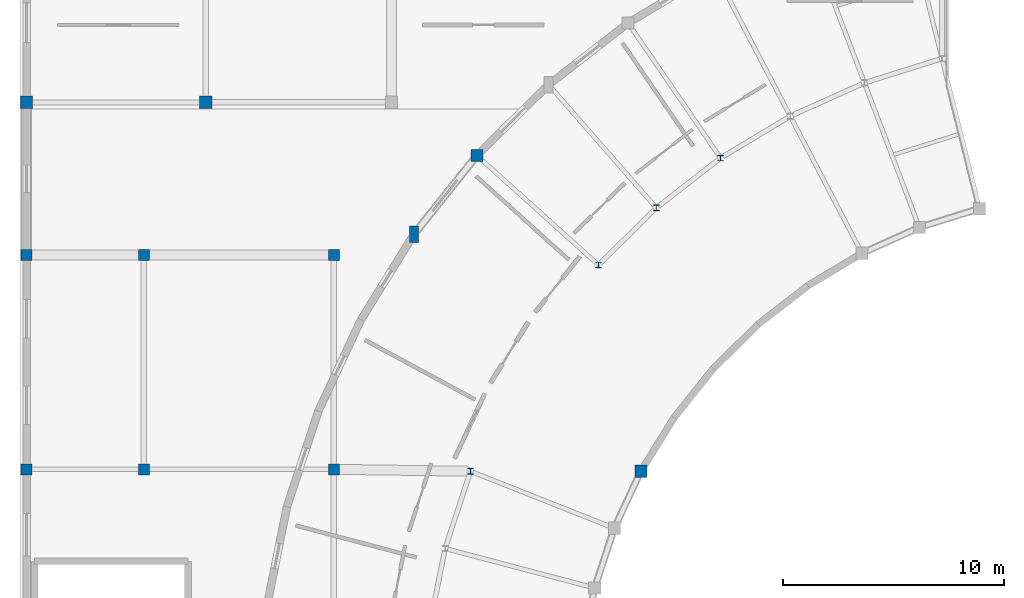
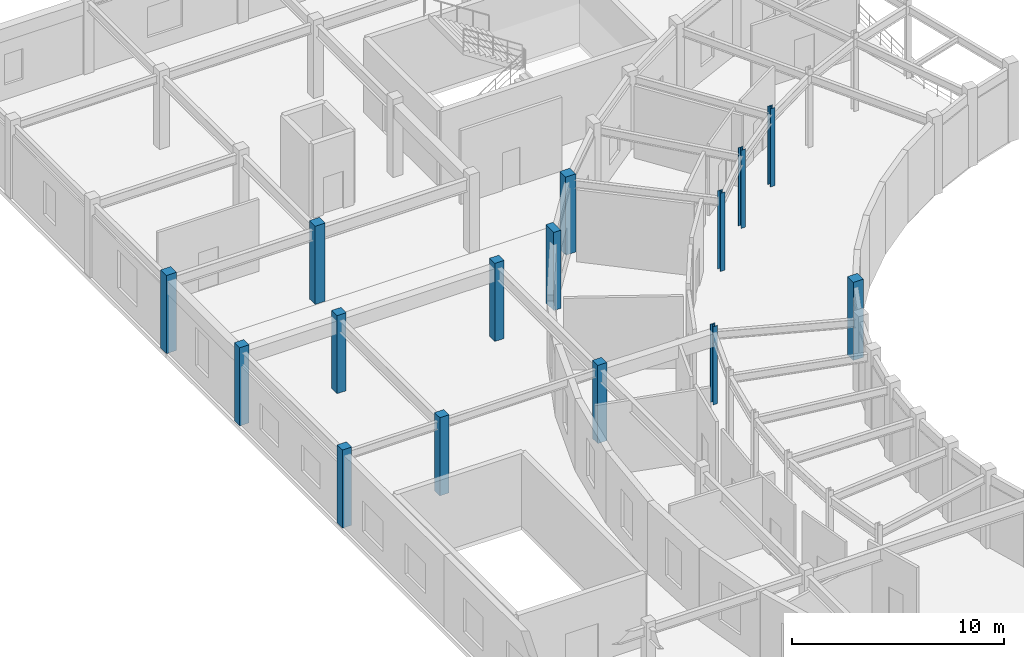
# One storey, part 8 of 60: 15 columns.
"""IFC4 building model written with IfcOpenShell, lengths in metres."""

import ifcopenshell
import ifcopenshell.guid

model = None  # the IFC model being written
_history = None  # IfcOwnerHistory: only IFC2X3 demands one
_inside = {}  # id of a spatial element -> (the spatial element, [elements in it])
_under = {}  # id of a project, library or spatial element -> (it, [spatial elements below it])
_declared = {}  # id of a project -> (the project, [libraries it declares])
_typed = {}  # id of a type object -> (the type object, [elements of that type])
_made_of = {}  # id of a material, layer set ... -> (it, [elements and type objects made of it])


def new_model(schema):
    """Start an empty IFC model of exactly this schema.

    Asked for "IFC4X3", IfcOpenShell would pick the latest addendum, in which some entities
    have other attributes; the version numbers below select the first issue.
    IFC2X3 requires an IfcOwnerHistory on every rooted entity: one is made here for all.
    """
    global model, _history
    if schema == "IFC4X3":
        model = ifcopenshell.file(schema_version=(4, 3, 0, 0))
    else:
        model = ifcopenshell.file(schema=schema)
    _inside.clear()
    _under.clear()
    _declared.clear()
    _typed.clear()
    _made_of.clear()
    _history = None
    if model.schema == "IFC2X3":
        org = make("IfcOrganization", Name="unknown")
        user = make(
            "IfcPersonAndOrganization",
            ThePerson=make("IfcPerson", FamilyName="unknown"),
            TheOrganization=org,
        )
        app = make(
            "IfcApplication",
            ApplicationDeveloper=org,
            Version="unknown",
            ApplicationFullName="unknown",
            ApplicationIdentifier="unknown",
        )
        _history = make(
            "IfcOwnerHistory",
            OwningUser=user,
            OwningApplication=app,
            ChangeAction="ADDED",
            CreationDate=0,
        )
    return model


def make(cls, **values):
    """One entity of the class cls with the attributes given. An attribute that is None is left unset."""
    return model.create_entity(
        cls, **{name: value for name, value in values.items() if value is not None}
    )


def rooted(cls, **values):
    """An entity with a GlobalId (a new one), such as an element, a storey or a relation."""
    return make(cls, GlobalId=ifcopenshell.guid.new(), OwnerHistory=_history, **values)


def si_unit(unit_type, name, prefix=None):
    """IfcSIUnit, for example si_unit("LENGTHUNIT", "METRE", prefix="MILLI")."""
    return make("IfcSIUnit", UnitType=unit_type, Prefix=prefix, Name=name)


def assignment(units):
    """IfcUnitAssignment: the units of a project."""
    return None if units is None else make("IfcUnitAssignment", Units=units)


def point(xyz):
    """IfcCartesianPoint."""
    return None if xyz is None else make("IfcCartesianPoint", Coordinates=xyz)


def direction(xyz):
    """IfcDirection."""
    return None if xyz is None else make("IfcDirection", DirectionRatios=xyz)


def frame(location, z_axis=None, x_axis=None):
    """IfcAxis2Placement3D, a coordinate frame: its origin and axes. An axis left out is left unset."""
    return make(
        "IfcAxis2Placement3D",
        Location=point(location),
        Axis=direction(z_axis),
        RefDirection=direction(x_axis),
    )


def frame_2d(location, x_axis=None):
    """IfcAxis2Placement2D, a coordinate frame in the plane: its origin and x axis."""
    return make(
        "IfcAxis2Placement2D", Location=point(location), RefDirection=direction(x_axis)
    )


def origin():
    """The frame at (0, 0, 0) with its axes left unset."""
    return frame((0.0, 0.0, 0.0))


def origin_2d():
    """The frame at (0, 0) in the plane with its x axis left unset."""
    return frame_2d((0.0, 0.0))


def place(relative_to, where):
    """IfcLocalPlacement: puts the frame where relative to a parent placement (None: the world)."""
    return make(
        "IfcLocalPlacement", PlacementRelTo=relative_to, RelativePlacement=where
    )


def context(
    kind, dimensions, precision=None, world=None, true_north=None, identifier=None
):
    """IfcGeometricRepresentationContext, for example the 3D "Model" context."""
    return make(
        "IfcGeometricRepresentationContext",
        ContextIdentifier=identifier,
        ContextType=kind,
        CoordinateSpaceDimension=dimensions,
        Precision=precision,
        WorldCoordinateSystem=world,
        TrueNorth=true_north,
    )


def subcontext(parent, identifier, kind, view, scale=None):
    """IfcGeometricRepresentationSubContext, for example "Body" below "Model"."""
    return make(
        "IfcGeometricRepresentationSubContext",
        ContextIdentifier=identifier,
        ContextType=kind,
        ParentContext=parent,
        TargetScale=scale,
        TargetView=view,
    )


def project(units=None, contexts=None):
    """IfcProject with its units and contexts."""
    return rooted(
        "IfcProject",
        Name="project",
        RepresentationContexts=contexts,
        UnitsInContext=assignment(units),
    )


def spatial(cls, under=None, at=None, **own):
    """A site, building, storey or space (cls), placed at a placement, below another one or the project."""
    s = rooted(cls, ObjectPlacement=at, **own)
    if under is not None:
        _under.setdefault(under.id(), (under, []))[1].append(s)
    return s


def profile(cls, at=None, kind="AREA", **sizes):
    """A parametric profile (cls). Its sizes go by their IFC names, for example OverallWidth=200.0."""
    return make(cls, ProfileType=kind, Position=at, **sizes)


def rectangle(**sizes):
    """IfcRectangleProfileDef."""
    return profile("IfcRectangleProfileDef", **sizes)


def i_section(**sizes):
    """IfcIShapeProfileDef."""
    return profile("IfcIShapeProfileDef", **sizes)


def extrude(swept, where, along, depth):
    """IfcExtrudedAreaSolid: the profile swept, set in the frame where, extruded along a direction by depth."""
    return make(
        "IfcExtrudedAreaSolid",
        SweptArea=swept,
        Position=where,
        ExtrudedDirection=direction(along),
        Depth=depth,
    )


def shape(context_of_items, identifier, shape_type, items):
    """IfcShapeRepresentation: the items that make up one representation, for example the "Body"."""
    return make(
        "IfcShapeRepresentation",
        ContextOfItems=context_of_items,
        RepresentationIdentifier=identifier,
        RepresentationType=shape_type,
        Items=items,
    )


def material(Name=None, Category=None):
    """IfcMaterial."""
    return make("IfcMaterial", Name=Name, Category=Category)


def material_profile(
    of_material, cross_section, Name=None, Category=None, Priority=None
):
    """IfcMaterialProfile: a cross section and its material."""
    return make(
        "IfcMaterialProfile",
        Name=Name,
        Material=of_material,
        Profile=cross_section,
        Priority=Priority,
        Category=Category,
    )


def profile_set(profiles, Name=None, composite=None):
    """IfcMaterialProfileSet."""
    return make(
        "IfcMaterialProfileSet",
        Name=Name,
        MaterialProfiles=profiles,
        CompositeProfile=composite,
    )


def made_of(thing, what):
    """Note that an element or type object is made of a material, layer set ...; save() writes the relation."""
    if what is not None:
        _made_of.setdefault(what.id(), (what, []))[1].append(thing)
    return thing


def type_object(cls, material=None, **own):
    """A type object (cls), such as IfcWallType, which elements share."""
    return made_of(rooted(cls, **own), material)


def element(
    cls,
    number,
    at=None,
    inside=None,
    cuts=None,
    type_object=None,
    material=None,
    context=None,
    identifier="Body",
    shape_type=None,
    held_by="IfcProductDefinitionShape",
    body=None,
    shapes=None,
    **own,
):
    """One element of the class cls, such as IfcWall. Its Tag is "e" and its number.

    at: its placement. inside: the storey or other place that contains it. cuts: it is an
    opening in that element (IfcRelVoidsElement). A single representation is given by context,
    identifier, shape_type and body (its items); several are given by shapes. held_by: the class
    of the entity that holds the representations. save() writes the other relations.
    """
    e = rooted(cls, Tag="e%d" % number, ObjectPlacement=at, **own)
    if body is not None:
        shapes = [shape(context, identifier, shape_type, body)]
    if shapes is not None:
        e.Representation = make(held_by, Representations=shapes)
    if inside is not None:
        _inside.setdefault(inside.id(), (inside, []))[1].append(e)
    if cuts is not None:
        rooted(
            "IfcRelVoidsElement", RelatingBuildingElement=cuts, RelatedOpeningElement=e
        )
    if type_object is not None:
        _typed.setdefault(type_object.id(), (type_object, []))[1].append(e)
    return made_of(e, material)


def aggregate(whole, parts):
    """IfcRelAggregates: a whole, such as a stair, and the parts it consists of."""
    return rooted("IfcRelAggregates", RelatingObject=whole, RelatedObjects=parts)


def save(model, path):
    """Write the relations noted so far, then the file.

    IfcRelAggregates (storeys below a building ...), IfcRelContainedInSpatialStructure (elements
    in a storey), IfcRelDefinesByType, IfcRelAssociatesMaterial and IfcRelDeclares: one each for
    every whole, place, type object, material and project.
    """
    for whole, parts in _under.values():
        aggregate(whole, parts)
    for where, things in _inside.values():
        rooted(
            "IfcRelContainedInSpatialStructure",
            RelatedElements=things,
            RelatingStructure=where,
        )
    for kind, things in _typed.values():
        rooted("IfcRelDefinesByType", RelatedObjects=things, RelatingType=kind)
    for what, things in _made_of.values():
        rooted("IfcRelAssociatesMaterial", RelatedObjects=things, RelatingMaterial=what)
    for by, libraries in _declared.values():
        rooted("IfcRelDeclares", RelatingContext=by, RelatedDefinitions=libraries)
    model.write(path)


model = new_model("IFC4")

# Units and contexts
model_context = context("Model", 3, precision=1e-05, world=origin(), true_north=direction((0.0, 1.0)))
body_context = subcontext(model_context, "Body", "Model", "MODEL_VIEW")
ifc_project = project(units=[si_unit("LENGTHUNIT", "METRE"), si_unit("AREAUNIT", "SQUARE_METRE"), si_unit("VOLUMEUNIT", "CUBIC_METRE"), si_unit("PLANEANGLEUNIT", "RADIAN"), si_unit("MASSUNIT", "GRAM", prefix="KILO")], contexts=[model_context])

# Site, building, storey
site_placement = place(None, origin())
site = spatial("IfcSite", under=ifc_project, at=site_placement, CompositionType="ELEMENT")
building_placement = place(site_placement, origin())
building = spatial("IfcBuilding", under=site, at=building_placement, Name="Cinderbank Siding Concert Hall", CompositionType="ELEMENT")
storey_placement = place(building_placement, frame((0.0, 0.0, 14.699951171875)))
storey = spatial("IfcBuildingStorey", under=building, at=storey_placement, Name="L04", CompositionType="ELEMENT", Elevation=14.699951171875)

# Columns
ifc_material_1 = material(Name="Reinforced concrete AS 3600 N50 (50 MPa)", Category="concrete")
ifc_material_profile_1 = material_profile(ifc_material_1, rectangle(XDim=0.5, YDim=0.5, at=origin_2d()), Name="RC-COL-500x500", Category="LoadBearing")
ifc_profile_set_1 = profile_set([ifc_material_profile_1], Name="Reinforced concrete AS 3600 N50 (50 MPa)")
column_type_1 = type_object("IfcColumnType", Name="C-RC500 RC-COL-500x500", PredefinedType="COLUMN", material=ifc_profile_set_1)
for number, where, z_axis, x_axis, name in (
    (1, (7.10009765625, 79.5, 0.0), (0.0, 0.0, 1.0), (1.0, 0.0, 0.0), "L04 Column COL-WL-1-5"),
    (2, (7.10009765625, 89.199951171875, 0.0), (0.0, 0.0, 1.0), (1.0, 0.0, 0.0), "L04 Column COL-WL-1-6"),
    (3, (12.39990234375, 79.5, 0.0), (0.0, 0.0, 1.0), (1.0, 0.0, 0.0), "L04 Column COL-WL-2-5"),
    (4, (12.39990234375, 89.199951171875, 0.0), (0.0, 0.0, 1.0), (1.0, 0.0, 0.0), "L04 Column COL-WL-2-6"),
    (5, (21.0, 79.5, 0.0), (0.0, 0.0, 1.0), (1.0, 0.0, 0.0), "L04 Column COL-WL-3-5"),
    (6, (21.0, 89.199951171875, 0.0), (0.0, 0.0, 1.0), (1.0, 0.0, 0.0), "L04 Column COL-WL-3-6"),
):
    element("IfcColumn", number, at=place(storey_placement, frame(where, z_axis=z_axis, x_axis=x_axis)), inside=storey, type_object=column_type_1, Name=name, PredefinedType="COLUMN", context=body_context, shape_type="SweptSolid", body=[
        extrude(rectangle(XDim=0.5, YDim=0.5, at=origin_2d()), origin(), (0.0, 0.0, 1.0), 4.5),
    ])
ifc_material_profile_2 = material_profile(ifc_material_1, rectangle(XDim=0.550048828125, YDim=0.550048828125, at=origin_2d()), Name="RC-COL-550x550", Category="LoadBearing")
ifc_profile_set_2 = profile_set([ifc_material_profile_2], Name="Reinforced concrete AS 3600 N50 (50 MPa)")
column_type_2 = type_object("IfcColumnType", Name="C-RC550 RC-COL-550x550", PredefinedType="COLUMN", material=ifc_profile_set_2)
for number, where, z_axis, x_axis, name in (
    (7, (27.462890625, 93.695068359375, 0.0), (0.0, 0.0, 1.0), (1.0, 0.0, 0.0), "L04 Column COL-WOUT-06"),
    (8, (34.887939453125, 79.4150390625, 0.0), (0.0, 0.0, 1.0), (1.0, 0.0, 0.0), "L04 Column COL-WIN-08"),
    (9, (7.10009765625, 96.10009765625, 0.0), (0.0, 0.0, 1.0), (1.0, 0.0, 0.0), "L04 Column COL-NW-1-1"),
    (10, (15.199951171875, 96.10009765625, 0.0), (0.0, 0.0, 1.0), (1.0, 0.0, 0.0), "L04 Column COL-NW-2-1"),
):
    element("IfcColumn", number, at=place(storey_placement, frame(where, z_axis=z_axis, x_axis=x_axis)), inside=storey, type_object=column_type_2, Name=name, PredefinedType="COLUMN", context=body_context, shape_type="SweptSolid", body=[
        extrude(rectangle(XDim=0.550048828125, YDim=0.550048828125, at=origin_2d()), origin(), (0.0, 0.0, 1.0), 4.5),
    ])
ifc_material_2 = material(Name="Structural steel AS/NZS 3679.1 Grade 350 (340 MPa)", Category="steel")
ifc_material_profile_3 = material_profile(ifc_material_2, i_section(OverallWidth=0.256103515625, OverallDepth=0.260009765625, WebThickness=0.010498046875, FlangeThickness=0.017333984375, at=origin_2d()), Name="250UC89.5", Category="LoadBearing")
ifc_profile_set_3 = profile_set([ifc_material_profile_3], Name="Structural steel AS/NZS 3679.1 Grade 350 (340 MPa)")
column_type_3 = type_object("IfcColumnType", Name="C-UC250H 250UC89.5", PredefinedType="COLUMN", material=ifc_profile_set_3)
for number, where, z_axis, x_axis, name in (
    (11, (38.486083984375, 93.5791015625, 0.0), (0.0, 0.0, 1.0), (1.0, 0.0, 0.0), "L04 Column COL-WMID-04"),
    (12, (35.5810546875, 91.324951171875, 0.0), (0.0, 0.0, 1.0), (1.0, 0.0, 0.0), "L04 Column COL-WMID-05"),
    (13, (32.9619140625, 88.742919921875, 0.0), (0.0, 0.0, 1.0), (1.0, 0.0, 0.0), "L04 Column COL-WMID-06"),
    (14, (27.177001953125, 79.412109375, 0.0), (0.0, 0.0, 1.0), (1.0, 0.0, 0.0), "L04 Column COL-WMID-09"),
):
    element("IfcColumn", number, at=place(storey_placement, frame(where, z_axis=z_axis, x_axis=x_axis)), inside=storey, type_object=column_type_3, Name=name, PredefinedType="COLUMN", context=body_context, shape_type="SweptSolid", body=[
        extrude(i_section(OverallWidth=0.256103515625, OverallDepth=0.260009765625, WebThickness=0.010498046875, FlangeThickness=0.017333984375, at=origin_2d()), origin(), (0.0, 0.0, 1.0), 4.5),
    ])
ifc_material_profile_4 = material_profile(ifc_material_1, rectangle(XDim=0.39990234375, YDim=0.75, at=origin_2d()), Name="RC-PIER-400x750", Category="LoadBearing")
ifc_profile_set_4 = profile_set([ifc_material_profile_4], Name="Reinforced concrete AS 3600 N50 (50 MPa)")
column_type_4 = type_object("IfcColumnType", Name="PL-RC750 RC-PIER-400x750", PredefinedType="PILASTER", material=ifc_profile_set_4)
column_placement = place(storey_placement, frame((24.6220703125, 90.135009765625, 0.0), z_axis=(0.0, 0.0, 1.0), x_axis=(1.0, 0.0, 0.0)))
element("IfcColumn", 15, at=column_placement, inside=storey, type_object=column_type_4, Name="L04 Column COL-WOUT-07", PredefinedType="PILASTER", context=body_context, shape_type="SweptSolid", body=[
    extrude(rectangle(XDim=0.39990234375, YDim=0.75, at=origin_2d()), origin(), (0.0, 0.0, 1.0), 4.5),
])

save(model, "model.ifc")
